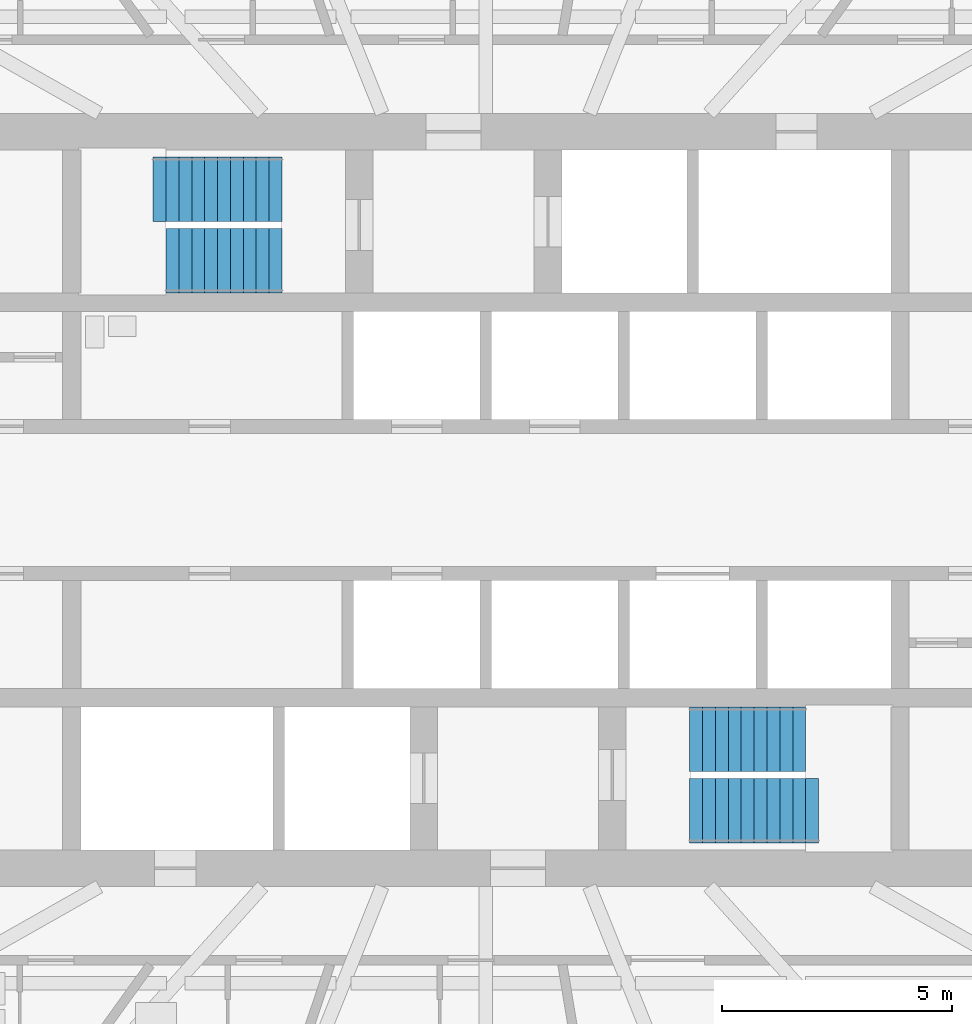
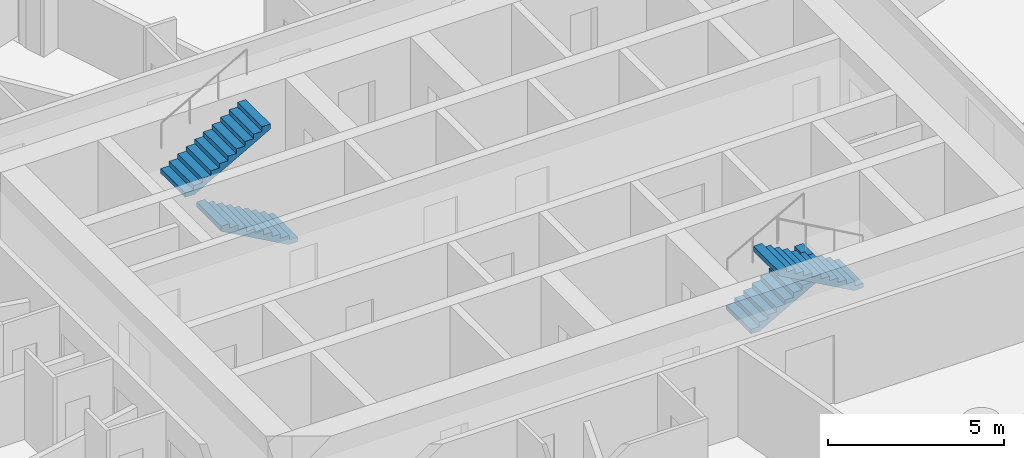
# One storey, part 14 of 16: 4 stair flights, 2 elements without a shape of their own.
"""IFC4 building model written with IfcOpenShell, lengths in metres."""

from ifc_helpers import new_model, si_unit, direction, frame, origin, place, context, subcontext, project, spatial, polyline, outline, extrude, material, type_object, element, aggregate, save


model = new_model("IFC4")

# Units and contexts
model_context = context("Model", 3, precision=1e-05, world=origin(), true_north=direction((0.0, 1.0)))
body_context = subcontext(model_context, "Body", "Model", "MODEL_VIEW")
ifc_project = project(units=[si_unit("LENGTHUNIT", "METRE"), si_unit("AREAUNIT", "SQUARE_METRE"), si_unit("VOLUMEUNIT", "CUBIC_METRE"), si_unit("PLANEANGLEUNIT", "RADIAN"), si_unit("MASSUNIT", "GRAM", prefix="KILO")], contexts=[model_context])

# Site, building, storey
site_placement = place(None, origin())
site = spatial("IfcSite", under=ifc_project, at=site_placement, CompositionType="ELEMENT")
building_placement = place(site_placement, origin())
building = spatial("IfcBuilding", under=site, at=building_placement, Name="Hankou Lantern Tower", CompositionType="ELEMENT")
storey_placement = place(building_placement, frame((0.0, 0.0, 143.39990234375)))
storey = spatial("IfcBuildingStorey", under=building, at=storey_placement, Name="L37", CompositionType="ELEMENT", Elevation=143.39990234375)

# Stair, stair flight
ifc_material_1 = material(Name="Concrete C40", Category="concrete")
stair_type = type_object("IfcStairType", Name="ST33 CORE STAIR 3300 RISE", PredefinedType="HALF_TURN_STAIR", material=ifc_material_1)
stair_1_placement = place(storey_placement, origin())
stair_1 = element("IfcStair", 1, at=stair_1_placement, inside=storey, type_object=stair_type, Name="Stair STA L37", PredefinedType="HALF_TURN_STAIR")
ifc_material_2 = material(Name="Concrete C40", Category="concrete")
stair_flight_type_1 = type_object("IfcStairFlightType", Name="CF10 CORE STAIR FLIGHT 1400 X 10 RISERS", PredefinedType="STRAIGHT", material=ifc_material_2)
stair_flight_1_placement = place(storey_placement, frame((-4.429931640625, 5.199951171875, 0.0), z_axis=(0.0, 0.0, 1.0), x_axis=(-1.0, 0.0, 0.0)))
stair_flight_1 = element("IfcStairFlight", 2, at=stair_flight_1_placement, type_object=stair_flight_type_1, Name="STA flight 1", NumberOfRisers=10, NumberOfTreads=9, PredefinedType="STRAIGHT", RiserHeight=0.157142857, TreadLength=0.28, context=body_context, shape_type="SweptSolid", body=[
    extrude(outline(polyline([(0.0, 0.0), (0.0, 0.1572265625), (0.280029296875, 0.1572265625), (0.280029296875, 0.314208984375), (0.56005859375, 0.314208984375), (0.56005859375, 0.471435546875), (0.840087890625, 0.471435546875), (0.840087890625, 0.628662109375), (1.1201171875, 0.628662109375), (1.1201171875, 0.78564453125), (1.39990234375, 0.78564453125), (1.39990234375, 0.94287109375), (1.679931640625, 0.94287109375), (1.679931640625, 1.10009765625), (1.9599609375, 1.10009765625), (1.9599609375, 1.257080078125), (2.239990234375, 1.257080078125), (2.239990234375, 1.414306640625), (2.52001953125, 1.414306640625), (2.52001953125, 1.571533203125), (2.52001953125, 1.242431640625), (0.306396484375, 0.0), (0.0, 0.0)])), frame((0.0, 0.699951171875, 0.0), z_axis=(0.0, -1.0, 0.0), x_axis=(1.0, 0.0, 0.0)), (0.0, 0.0, 1.0), 1.39990234375),
])

stair_2_placement = place(storey_placement, origin())
stair_2 = element("IfcStair", 3, at=stair_2_placement, inside=storey, type_object=stair_type, Name="Stair STB L37", PredefinedType="HALF_TURN_STAIR")
stair_flight_2_placement = place(storey_placement, frame((4.429931640625, -5.199951171875, 0.0), z_axis=(0.0, 0.0, 1.0), x_axis=(1.0, 0.0, 0.0)))
stair_flight_2 = element("IfcStairFlight", 4, at=stair_flight_2_placement, type_object=stair_flight_type_1, Name="STB flight 1", NumberOfRisers=10, NumberOfTreads=9, PredefinedType="STRAIGHT", RiserHeight=0.157142857, TreadLength=0.28, context=body_context, shape_type="SweptSolid", body=[
    extrude(outline(polyline([(0.0, 0.0), (0.0, 0.1572265625), (0.280029296875, 0.1572265625), (0.280029296875, 0.314208984375), (0.56005859375, 0.314208984375), (0.56005859375, 0.471435546875), (0.840087890625, 0.471435546875), (0.840087890625, 0.628662109375), (1.1201171875, 0.628662109375), (1.1201171875, 0.78564453125), (1.39990234375, 0.78564453125), (1.39990234375, 0.94287109375), (1.679931640625, 0.94287109375), (1.679931640625, 1.10009765625), (1.9599609375, 1.10009765625), (1.9599609375, 1.257080078125), (2.239990234375, 1.257080078125), (2.239990234375, 1.414306640625), (2.52001953125, 1.414306640625), (2.52001953125, 1.571533203125), (2.52001953125, 1.242431640625), (0.306396484375, 0.0), (0.0, 0.0)])), frame((0.0, 0.699951171875, 0.0), z_axis=(0.0, -1.0, 0.0), x_axis=(1.0, 0.0, 0.0)), (0.0, 0.0, 1.0), 1.39990234375),
])

# Stair flight
ifc_material_3 = material(Name="Concrete C40", Category="concrete")
stair_flight_type_2 = type_object("IfcStairFlightType", Name="CF11 CORE STAIR FLIGHT 1400 X 11 RISERS", PredefinedType="STRAIGHT", material=ifc_material_3)
stair_flight_3_placement = place(storey_placement, frame((-7.22998046875, 6.75, 1.571533203125), z_axis=(0.0, 0.0, 1.0), x_axis=(1.0, 0.0, 0.0)))
stair_flight_3 = element("IfcStairFlight", 5, at=stair_flight_3_placement, type_object=stair_flight_type_2, Name="STA flight 2", NumberOfRisers=11, NumberOfTreads=10, PredefinedType="STRAIGHT", RiserHeight=0.157142857, TreadLength=0.28, context=body_context, shape_type="SweptSolid", body=[
    extrude(outline(polyline([(0.0, 0.0), (0.0, 0.1572265625), (0.280029296875, 0.1572265625), (0.280029296875, 0.314208984375), (0.56005859375, 0.314208984375), (0.56005859375, 0.471435546875), (0.840087890625, 0.471435546875), (0.840087890625, 0.628662109375), (1.1201171875, 0.628662109375), (1.1201171875, 0.78564453125), (1.39990234375, 0.78564453125), (1.39990234375, 0.94287109375), (1.679931640625, 0.94287109375), (1.679931640625, 1.10009765625), (1.9599609375, 1.10009765625), (1.9599609375, 1.257080078125), (2.239990234375, 1.257080078125), (2.239990234375, 1.414306640625), (2.52001953125, 1.414306640625), (2.52001953125, 1.571533203125), (2.800048828125, 1.571533203125), (2.800048828125, 1.728515625), (2.800048828125, 1.3994140625), (0.306396484375, 0.0), (0.0, 0.0)])), frame((0.0, 0.699951171875, 0.0), z_axis=(0.0, -1.0, 0.0), x_axis=(1.0, 0.0, 0.0)), (0.0, 0.0, 1.0), 1.39990234375),
])

aggregate(stair_1, [stair_flight_1, stair_flight_3])

stair_flight_4_placement = place(storey_placement, frame((7.22998046875, -6.75, 1.571533203125), z_axis=(0.0, 0.0, 1.0), x_axis=(-1.0, 0.0, 0.0)))
stair_flight_4 = element("IfcStairFlight", 6, at=stair_flight_4_placement, type_object=stair_flight_type_2, Name="STB flight 2", NumberOfRisers=11, NumberOfTreads=10, PredefinedType="STRAIGHT", RiserHeight=0.157142857, TreadLength=0.28, context=body_context, shape_type="SweptSolid", body=[
    extrude(outline(polyline([(0.0, 0.0), (0.0, 0.1572265625), (0.280029296875, 0.1572265625), (0.280029296875, 0.314208984375), (0.56005859375, 0.314208984375), (0.56005859375, 0.471435546875), (0.840087890625, 0.471435546875), (0.840087890625, 0.628662109375), (1.1201171875, 0.628662109375), (1.1201171875, 0.78564453125), (1.39990234375, 0.78564453125), (1.39990234375, 0.94287109375), (1.679931640625, 0.94287109375), (1.679931640625, 1.10009765625), (1.9599609375, 1.10009765625), (1.9599609375, 1.257080078125), (2.239990234375, 1.257080078125), (2.239990234375, 1.414306640625), (2.52001953125, 1.414306640625), (2.52001953125, 1.571533203125), (2.800048828125, 1.571533203125), (2.800048828125, 1.728515625), (2.800048828125, 1.3994140625), (0.306396484375, 0.0), (0.0, 0.0)])), frame((0.0, 0.699951171875, 0.0), z_axis=(0.0, -1.0, 0.0), x_axis=(1.0, 0.0, 0.0)), (0.0, 0.0, 1.0), 1.39990234375),
])

aggregate(stair_2, [stair_flight_2, stair_flight_4])

save(model, "model.ifc")
